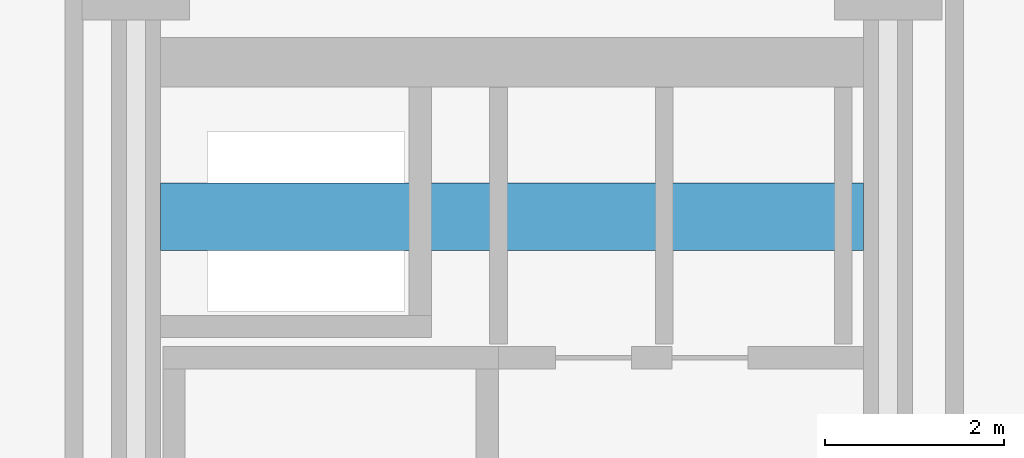
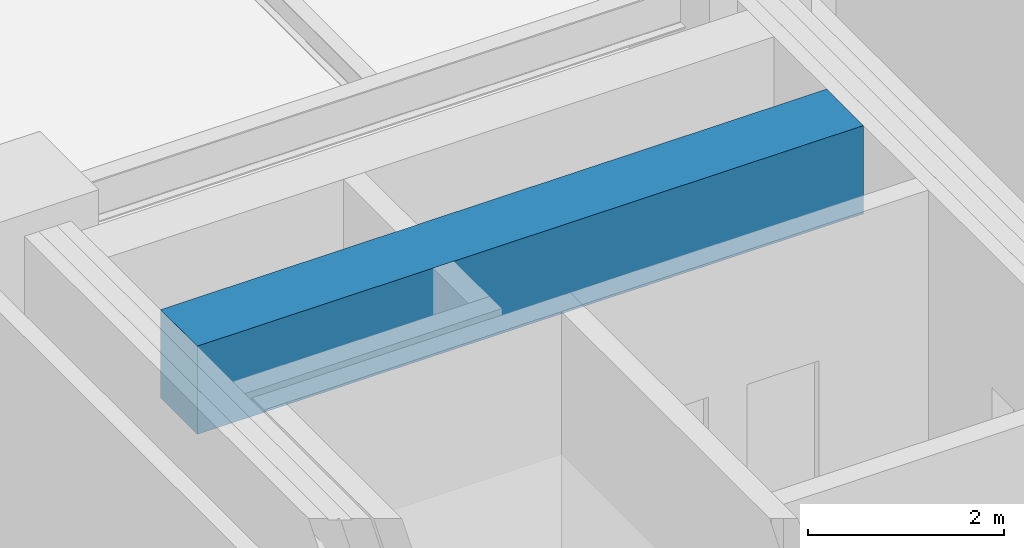
# One storey, part 17 of 29: 1 beam.
"""IFC4 building model written with IfcOpenShell, lengths in metres."""

from ifc_helpers import new_model, si_unit, direction, frame, origin, origin_2d, place, context, subcontext, project, spatial, rectangle, extrude, material, material_profile, profile_set, type_object, element, save


model = new_model("IFC4")

# Units and contexts
model_context = context("Model", 3, precision=1e-05, world=origin(), true_north=direction((0.0, 1.0)))
body_context = subcontext(model_context, "Body", "Model", "MODEL_VIEW")
ifc_project = project(units=[si_unit("LENGTHUNIT", "METRE"), si_unit("AREAUNIT", "SQUARE_METRE"), si_unit("VOLUMEUNIT", "CUBIC_METRE"), si_unit("PLANEANGLEUNIT", "RADIAN"), si_unit("MASSUNIT", "GRAM", prefix="KILO")], contexts=[model_context])

# Site, building, storey
site_placement = place(None, origin())
site = spatial("IfcSite", under=ifc_project, at=site_placement, CompositionType="ELEMENT")
building_placement = place(site_placement, origin())
building = spatial("IfcBuilding", under=site, at=building_placement, Name="Nerrivon Quay Data Exchange", CompositionType="ELEMENT")
storey_placement = place(building_placement, frame((0.0, 0.0, 121.300048828125)))
storey = spatial("IfcBuildingStorey", under=building, at=storey_placement, Name="L28", CompositionType="ELEMENT", Elevation=121.300048828125)

# Beam
ifc_material = material(Name="Concrete S65 (65 MPa)", Category="concrete")
ifc_material_profile = material_profile(ifc_material, rectangle(XDim=0.75, YDim=1.10009765625, at=origin_2d()), Name="RC-CB-750x1100")
ifc_profile_set = profile_set([ifc_material_profile], Name="Concrete S65 (65 MPa)")
beam_type = type_object("IfcBeamType", Name="BM-CB1-750x1100", PredefinedType="LINTEL", material=ifc_profile_set)
beam_placement = place(storey_placement, frame((8.675048828125, 39.199951171875, 3.27490234375), z_axis=(1.0, 0.0, 0.0), x_axis=(0.0, 1.0, 0.0)))
element("IfcBeam", 1, at=beam_placement, inside=storey, type_object=beam_type, Name="L28 West Core Coupling Beam", PredefinedType="LINTEL", context=body_context, shape_type="SweptSolid", body=[
    extrude(rectangle(XDim=0.75, YDim=1.10009765625, at=origin_2d()), origin(), (0.0, 0.0, 1.0), 7.849853515625),
])

save(model, "model.ifc")
